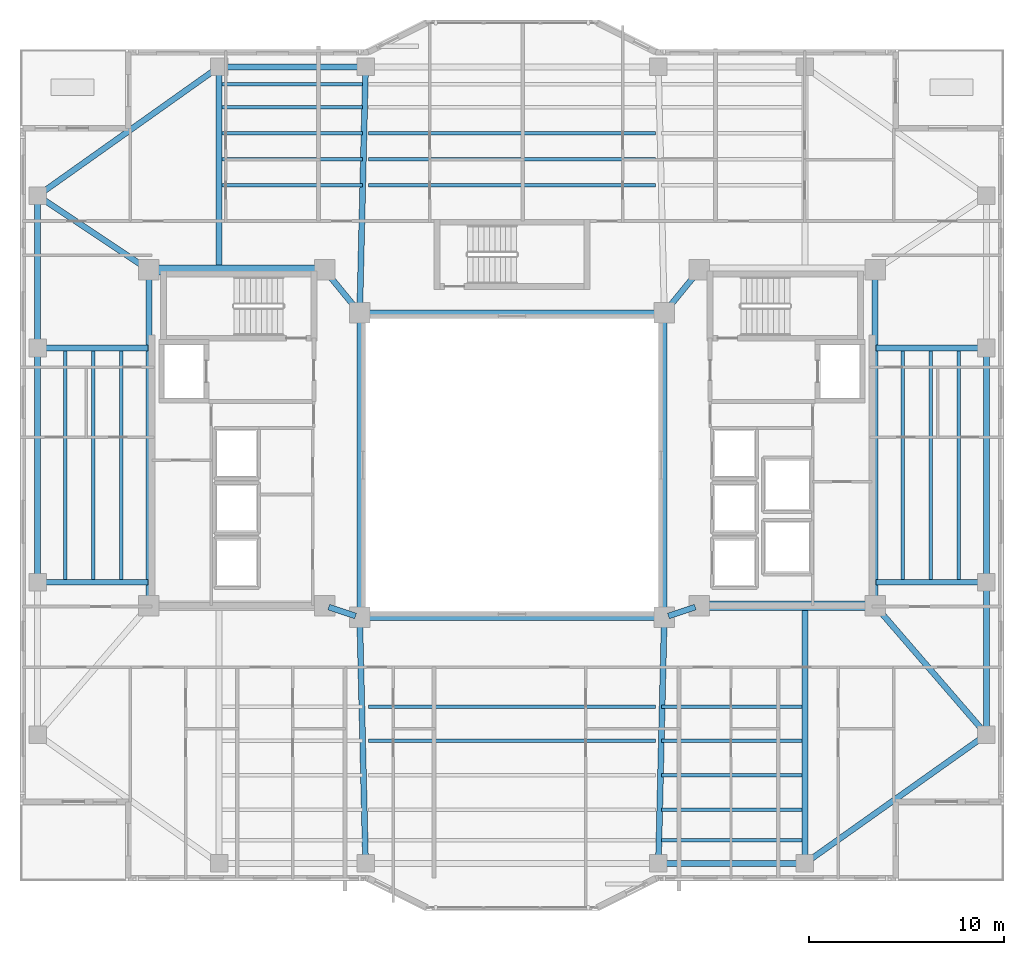
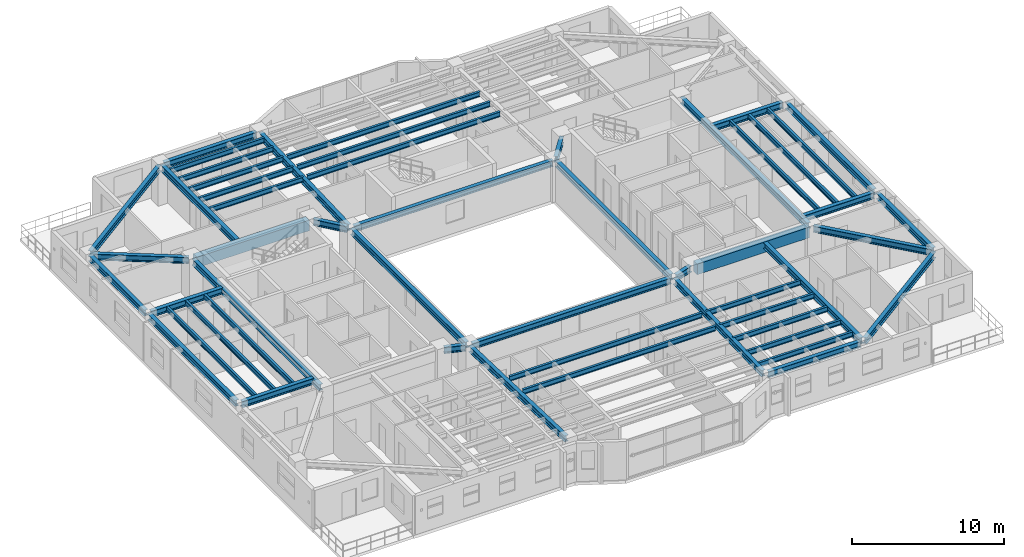
# One storey, part 3 of 17: 52 beams.
"""IFC4 building model written with IfcOpenShell, lengths in metres."""

from ifc_helpers import new_model, si_unit, direction, frame, origin, origin_2d, place, context, subcontext, project, spatial, rectangle, i_section, extrude, material, material_profile, profile_set, type_object, element, save


model = new_model("IFC4")

# Units and contexts
model_context = context("Model", 3, precision=1e-05, world=origin(), true_north=direction((0.0, 1.0)))
body_context = subcontext(model_context, "Body", "Model", "MODEL_VIEW")
ifc_project = project(units=[si_unit("LENGTHUNIT", "METRE"), si_unit("AREAUNIT", "SQUARE_METRE"), si_unit("VOLUMEUNIT", "CUBIC_METRE"), si_unit("PLANEANGLEUNIT", "RADIAN"), si_unit("MASSUNIT", "GRAM", prefix="KILO")], contexts=[model_context])

# Site, building, storey
site_placement = place(None, origin())
site = spatial("IfcSite", under=ifc_project, at=site_placement, CompositionType="ELEMENT")
building_placement = place(site_placement, origin())
building = spatial("IfcBuilding", under=site, at=building_placement, Name="Tarnavaz Court Tower", CompositionType="ELEMENT")
storey_placement = place(building_placement, frame((0.0, 0.0, 132.60009765625)))
storey = spatial("IfcBuildingStorey", under=building, at=storey_placement, Name="L35", CompositionType="ELEMENT", Elevation=132.60009765625)

# Beams
ifc_material_1 = material(Name="Concrete C50/60", Category="concrete")
ifc_material_profile_1 = material_profile(ifc_material_1, rectangle(XDim=0.5, YDim=0.85009765625, at=origin_2d()), Name="RC 500X850")
ifc_profile_set_1 = profile_set([ifc_material_profile_1], Name="Concrete C50/60")
beam_type_1 = type_object("IfcBeamType", Name="BM-CB850", PredefinedType="LINTEL", material=ifc_profile_set_1)
for number, where, z_axis, x_axis, name in (
    (1, (-18.3798828125, 10.0, 2.6748046875), (1.0, 0.0, 0.0), (0.0, 1.0, 0.0), "L35 Beam IN-CW-NO-CW-NI"),
    (2, (18.3798828125, -7.199951171875, 2.6748046875), (-1.0, 0.0, 0.0), (0.0, -1.0, 0.0), "L35 Beam IN-CE-SO-CE-SI"),
):
    element("IfcBeam", number, at=place(storey_placement, frame(where, z_axis=z_axis, x_axis=x_axis)), inside=storey, type_object=beam_type_1, Name=name, PredefinedType="LINTEL", context=body_context, shape_type="SweptSolid", body=[
        extrude(rectangle(XDim=0.5, YDim=0.85009765625, at=origin_2d()), origin(), (0.0, 0.0, 1.0), 8.559814453125),
    ])
ifc_material_2 = material(Name="Steel S355", Category="steel")
ifc_material_profile_2 = material_profile(ifc_material_2, i_section(OverallWidth=0.300048828125, OverallDepth=0.5, WebThickness=0.014404296875, FlangeThickness=0.028076171875, FilletRadius=0.027099609375, at=origin_2d()), Name="HEB 500")
ifc_profile_set_2 = profile_set([ifc_material_profile_2], Name="Steel S355")
beam_type_2 = type_object("IfcBeamType", Name="BM-G-HEB500", PredefinedType="USERDEFINED", material=ifc_profile_set_2)
for number, where, z_axis, x_axis, name in (
    (3, (-9.391357421875, -7.26953125, 2.849853515625), (0.948666544706, -0.316278021615, 0.0), (0.316278021615, 0.948666544706, 0.0), "L35 Beam IN-CW-SI-IW-SW"),
    (4, (9.391357421875, -7.26953125, 2.849853515625), (-0.948666544706, -0.316278021615, 0.0), (0.316278021615, -0.948666544706, 0.0), "L35 Beam IN-CE-SI-IW-SE"),
):
    element("IfcBeam", number, at=place(storey_placement, frame(where, z_axis=z_axis, x_axis=x_axis)), inside=storey, type_object=beam_type_2, Name=name, ObjectType="GIRDER", PredefinedType="USERDEFINED", context=body_context, shape_type="SweptSolid", body=[
        extrude(i_section(OverallWidth=0.300048828125, OverallDepth=0.5, WebThickness=0.014404296875, FlangeThickness=0.028076171875, FilletRadius=0.027099609375, at=origin_2d()), origin(), (0.0, 0.0, 1.0), 1.457275390625),
    ])
for number, where, z_axis, x_axis, name in (
    (5, (-9.460693359375, 9.82958984375, 2.849853515625), (0.633282058357, -0.773921077735, 0.0), (0.773921077735, 0.633282058357, 0.0), "L35 Beam IN-CW-NI-IW-NW"),
    (6, (9.460693359375, 9.82958984375, 2.849853515625), (-0.633282058357, -0.773921077735, 0.0), (0.773921077735, -0.633282058357, 0.0), "L35 Beam IN-CE-NI-IW-NE"),
):
    element("IfcBeam", number, at=place(storey_placement, frame(where, z_axis=z_axis, x_axis=x_axis)), inside=storey, type_object=beam_type_2, Name=name, ObjectType="GIRDER", PredefinedType="USERDEFINED", context=body_context, shape_type="SweptSolid", body=[
        extrude(i_section(OverallWidth=0.300048828125, OverallDepth=0.5, WebThickness=0.014404296875, FlangeThickness=0.028076171875, FilletRadius=0.027099609375, at=origin_2d()), origin(), (0.0, 0.0, 1.0), 2.402587890625),
    ])
for number, where, z_axis, x_axis, name in (
    (7, (-18.60009765625, -6.97998046875, 2.849853515625), (0.0, 1.0, 0.0), (-1.0, 0.0, 0.0), "L35 Beam IN-CW-SO-CW-NO"),
    (8, (18.60009765625, -6.97998046875, 2.849853515625), (0.0, 1.0, 0.0), (-1.0, 0.0, 0.0), "L35 Beam IN-CE-SO-CE-NO"),
):
    element("IfcBeam", number, at=place(storey_placement, frame(where, z_axis=z_axis, x_axis=x_axis)), inside=storey, type_object=beam_type_2, Name=name, ObjectType="GIRDER", PredefinedType="USERDEFINED", context=body_context, shape_type="SweptSolid", body=[
        extrude(i_section(OverallWidth=0.300048828125, OverallDepth=0.5, WebThickness=0.014404296875, FlangeThickness=0.028076171875, FilletRadius=0.027099609375, at=origin_2d()), origin(), (0.0, 0.0, 1.0), 16.760009765625),
    ])
beam_1_placement = place(storey_placement, frame((-15.0, 10.0400390625, 2.849853515625), z_axis=(0.0, 1.0, 0.0), x_axis=(-1.0, 0.0, 0.0)))
element("IfcBeam", 9, at=beam_1_placement, inside=storey, type_object=beam_type_2, Name="L35 Beam RG-01", ObjectType="GIRDER", PredefinedType="USERDEFINED", context=body_context, shape_type="SweptSolid", body=[
    extrude(i_section(OverallWidth=0.300048828125, OverallDepth=0.5, WebThickness=0.014404296875, FlangeThickness=0.028076171875, FilletRadius=0.027099609375, at=origin_2d()), origin(), (0.0, 0.0, 1.0), 10.139892578125),
])
for number, where, z_axis, x_axis, name in (
    (10, (-7.794921875, 8.02001953125, 2.849853515625), (0.023824748444, 0.999716150395, 0.0), (-0.999716150395, 0.023824748444, 0.0), "L35 Beam RG-02"),
    (11, (-7.794921875, -8.02001953125, 2.849853515625), (0.023824748444, -0.999716150395, 0.0), (0.999716150395, 0.023824748444, 0.0), "L35 Beam RG-06"),
    (12, (7.794921875, -8.02001953125, 2.849853515625), (-0.023824748444, -0.999716150395, 0.0), (0.999716150395, -0.023824748444, 0.0), "L35 Beam RG-07"),
):
    element("IfcBeam", number, at=place(storey_placement, frame(where, z_axis=z_axis, x_axis=x_axis)), inside=storey, type_object=beam_type_2, Name=name, ObjectType="GIRDER", PredefinedType="USERDEFINED", context=body_context, shape_type="SweptSolid", body=[
        extrude(i_section(OverallWidth=0.300048828125, OverallDepth=0.5, WebThickness=0.014404296875, FlangeThickness=0.028076171875, FilletRadius=0.027099609375, at=origin_2d()), origin(), (0.0, 0.0, 1.0), 12.16357421875),
    ])
beam_2_placement = place(storey_placement, frame((15.0, -7.239990234375, 2.849853515625), z_axis=(0.0, -1.0, 0.0), x_axis=(1.0, 0.0, 0.0)))
element("IfcBeam", 13, at=beam_2_placement, inside=storey, type_object=beam_type_2, Name="L35 Beam RG-08", ObjectType="GIRDER", PredefinedType="USERDEFINED", context=body_context, shape_type="SweptSolid", body=[
    extrude(i_section(OverallWidth=0.300048828125, OverallDepth=0.5, WebThickness=0.014404296875, FlangeThickness=0.028076171875, FilletRadius=0.027099609375, at=origin_2d()), origin(), (0.0, 0.0, 1.0), 12.93994140625),
])
for number, where, z_axis, x_axis, name in (
    (14, (18.639892578125, -6.0, 2.849853515625), (1.0, 0.0, 0.0), (0.0, 1.0, 0.0), "L35 Beam RG-09"),
    (15, (18.639892578125, 6.0, 2.849853515625), (1.0, 0.0, 0.0), (0.0, 1.0, 0.0), "L35 Beam RG-10"),
):
    element("IfcBeam", number, at=place(storey_placement, frame(where, z_axis=z_axis, x_axis=x_axis)), inside=storey, type_object=beam_type_2, Name=name, ObjectType="GIRDER", PredefinedType="USERDEFINED", context=body_context, shape_type="SweptSolid", body=[
        extrude(i_section(OverallWidth=0.300048828125, OverallDepth=0.5, WebThickness=0.014404296875, FlangeThickness=0.028076171875, FilletRadius=0.027099609375, at=origin_2d()), origin(), (0.0, 0.0, 1.0), 5.440185546875),
    ])
beam_3_placement = place(storey_placement, frame((18.743896484375, -7.366455078125, 2.849853515625), z_axis=(0.653610659012, -0.756830962914, 0.0), x_axis=(0.756830962914, 0.653610659012, 0.0)))
element("IfcBeam", 16, at=beam_3_placement, inside=storey, type_object=beam_type_2, Name="L35 Beam RG-11", ObjectType="GIRDER", PredefinedType="USERDEFINED", context=body_context, shape_type="SweptSolid", body=[
    extrude(i_section(OverallWidth=0.300048828125, OverallDepth=0.5, WebThickness=0.014404296875, FlangeThickness=0.028076171875, FilletRadius=0.027099609375, at=origin_2d()), origin(), (0.0, 0.0, 1.0), 8.28076171875),
])
for number, where, z_axis, x_axis, name in (
    (17, (-18.639892578125, -6.0, 2.849853515625), (-1.0, 0.0, 0.0), (0.0, -1.0, 0.0), "L35 Beam RG-13"),
    (18, (-18.639892578125, 6.0, 2.849853515625), (-1.0, 0.0, 0.0), (0.0, -1.0, 0.0), "L35 Beam RG-14"),
):
    element("IfcBeam", number, at=place(storey_placement, frame(where, z_axis=z_axis, x_axis=x_axis)), inside=storey, type_object=beam_type_2, Name=name, ObjectType="GIRDER", PredefinedType="USERDEFINED", context=body_context, shape_type="SweptSolid", body=[
        extrude(i_section(OverallWidth=0.300048828125, OverallDepth=0.5, WebThickness=0.014404296875, FlangeThickness=0.028076171875, FilletRadius=0.027099609375, at=origin_2d()), origin(), (0.0, 0.0, 1.0), 5.440185546875),
    ])
beam_4_placement = place(storey_placement, frame((-18.783203125, 10.1220703125, 2.849853515625), z_axis=(-0.832044435051, 0.554708985056, 0.0), x_axis=(-0.554708985056, -0.832044435051, 0.0)))
element("IfcBeam", 19, at=beam_4_placement, inside=storey, type_object=beam_type_2, Name="L35 Beam RG-16", ObjectType="GIRDER", PredefinedType="USERDEFINED", context=body_context, shape_type="SweptSolid", body=[
    extrude(i_section(OverallWidth=0.300048828125, OverallDepth=0.5, WebThickness=0.014404296875, FlangeThickness=0.028076171875, FilletRadius=0.027099609375, at=origin_2d()), origin(), (0.0, 0.0, 1.0), 6.410400390625),
])
ifc_material_profile_3 = material_profile(ifc_material_2, i_section(OverallWidth=0.179931640625, OverallDepth=0.39990234375, WebThickness=0.008544921875, FlangeThickness=0.013427734375, FilletRadius=0.02099609375, at=origin_2d()), Name="IPE 400")
ifc_profile_set_3 = profile_set([ifc_material_profile_3], Name="Steel S355")
beam_type_3 = type_object("IfcBeamType", Name="BM-J-IPE400", PredefinedType="JOIST", material=ifc_profile_set_3)
beam_5_placement = place(storey_placement, frame((-14.85009765625, 14.33203125, 2.89990234375), z_axis=(1.0, 0.0, 0.0), x_axis=(0.0, 1.0, 0.0)))
element("IfcBeam", 20, at=beam_5_placement, inside=storey, type_object=beam_type_3, Name="L35 Beam JN1-1", PredefinedType="JOIST", context=body_context, shape_type="SweptSolid", body=[
    extrude(i_section(OverallWidth=0.179931640625, OverallDepth=0.39990234375, WebThickness=0.008544921875, FlangeThickness=0.013427734375, FilletRadius=0.02099609375, at=origin_2d()), origin(), (0.0, 0.0, 1.0), 7.2001953125),
])
for number, where, z_axis, x_axis, name in (
    (21, (-7.35009765625, 14.33203125, 2.89990234375), (1.0, 0.0, 0.0), (0.0, 1.0, 0.0), "L35 Beam JN1-2"),
    (22, (-7.35009765625, -12.364013671875, 2.89990234375), (1.0, 0.0, 0.0), (0.0, 1.0, 0.0), "L35 Beam JS1-2"),
):
    element("IfcBeam", number, at=place(storey_placement, frame(where, z_axis=z_axis, x_axis=x_axis)), inside=storey, type_object=beam_type_3, Name=name, PredefinedType="JOIST", context=body_context, shape_type="SweptSolid", body=[
        extrude(i_section(OverallWidth=0.179931640625, OverallDepth=0.39990234375, WebThickness=0.008544921875, FlangeThickness=0.013427734375, FilletRadius=0.02099609375, at=origin_2d()), origin(), (0.0, 0.0, 1.0), 14.7001953125),
    ])
for number, where, z_axis, x_axis, name in (
    (23, (7.64990234375, -12.364013671875, 2.89990234375), (1.0, 0.0, 0.0), (0.0, 1.0, 0.0), "L35 Beam JS1-3"),
    (24, (-14.85009765625, 15.6640625, 2.89990234375), (1.0, 0.0, 0.0), (0.0, 1.0, 0.0), "L35 Beam JN2-1"),
):
    element("IfcBeam", number, at=place(storey_placement, frame(where, z_axis=z_axis, x_axis=x_axis)), inside=storey, type_object=beam_type_3, Name=name, PredefinedType="JOIST", context=body_context, shape_type="SweptSolid", body=[
        extrude(i_section(OverallWidth=0.179931640625, OverallDepth=0.39990234375, WebThickness=0.008544921875, FlangeThickness=0.013427734375, FilletRadius=0.02099609375, at=origin_2d()), origin(), (0.0, 0.0, 1.0), 7.2001953125),
    ])
for number, where, z_axis, x_axis, name in (
    (25, (-7.35009765625, 15.6640625, 2.89990234375), (1.0, 0.0, 0.0), (0.0, 1.0, 0.0), "L35 Beam JN2-2"),
    (26, (-7.35009765625, -14.1279296875, 2.89990234375), (1.0, 0.0, 0.0), (0.0, 1.0, 0.0), "L35 Beam JS2-2"),
):
    element("IfcBeam", number, at=place(storey_placement, frame(where, z_axis=z_axis, x_axis=x_axis)), inside=storey, type_object=beam_type_3, Name=name, PredefinedType="JOIST", context=body_context, shape_type="SweptSolid", body=[
        extrude(i_section(OverallWidth=0.179931640625, OverallDepth=0.39990234375, WebThickness=0.008544921875, FlangeThickness=0.013427734375, FilletRadius=0.02099609375, at=origin_2d()), origin(), (0.0, 0.0, 1.0), 14.7001953125),
    ])
for number, where, z_axis, x_axis, name in (
    (27, (7.64990234375, -14.1279296875, 2.89990234375), (1.0, 0.0, 0.0), (0.0, 1.0, 0.0), "L35 Beam JS2-3"),
    (28, (-14.85009765625, 16.99609375, 2.89990234375), (1.0, 0.0, 0.0), (0.0, 1.0, 0.0), "L35 Beam JN3-1"),
):
    element("IfcBeam", number, at=place(storey_placement, frame(where, z_axis=z_axis, x_axis=x_axis)), inside=storey, type_object=beam_type_3, Name=name, PredefinedType="JOIST", context=body_context, shape_type="SweptSolid", body=[
        extrude(i_section(OverallWidth=0.179931640625, OverallDepth=0.39990234375, WebThickness=0.008544921875, FlangeThickness=0.013427734375, FilletRadius=0.02099609375, at=origin_2d()), origin(), (0.0, 0.0, 1.0), 7.2001953125),
    ])
beam_6_placement = place(storey_placement, frame((-7.35009765625, 16.99609375, 2.89990234375), z_axis=(1.0, 0.0, 0.0), x_axis=(0.0, 1.0, 0.0)))
element("IfcBeam", 29, at=beam_6_placement, inside=storey, type_object=beam_type_3, Name="L35 Beam JN3-2", PredefinedType="JOIST", context=body_context, shape_type="SweptSolid", body=[
    extrude(i_section(OverallWidth=0.179931640625, OverallDepth=0.39990234375, WebThickness=0.008544921875, FlangeThickness=0.013427734375, FilletRadius=0.02099609375, at=origin_2d()), origin(), (0.0, 0.0, 1.0), 14.7001953125),
])
for number, where, z_axis, x_axis, name in (
    (30, (7.64990234375, -15.89208984375, 2.89990234375), (1.0, 0.0, 0.0), (0.0, 1.0, 0.0), "L35 Beam JS3-3"),
    (31, (-14.85009765625, 18.327880859375, 2.89990234375), (1.0, 0.0, 0.0), (0.0, 1.0, 0.0), "L35 Beam JN4-1"),
    (32, (7.64990234375, -17.656005859375, 2.89990234375), (1.0, 0.0, 0.0), (0.0, 1.0, 0.0), "L35 Beam JS4-3"),
    (33, (-14.85009765625, 19.511962890625, 2.89990234375), (1.0, 0.0, 0.0), (0.0, 1.0, 0.0), "L35 Beam JN5-1"),
    (34, (7.64990234375, -19.22412109375, 2.89990234375), (1.0, 0.0, 0.0), (0.0, 1.0, 0.0), "L35 Beam JS5-3"),
):
    element("IfcBeam", number, at=place(storey_placement, frame(where, z_axis=z_axis, x_axis=x_axis)), inside=storey, type_object=beam_type_3, Name=name, PredefinedType="JOIST", context=body_context, shape_type="SweptSolid", body=[
        extrude(i_section(OverallWidth=0.179931640625, OverallDepth=0.39990234375, WebThickness=0.008544921875, FlangeThickness=0.013427734375, FilletRadius=0.02099609375, at=origin_2d()), origin(), (0.0, 0.0, 1.0), 7.2001953125),
    ])
for number, where, z_axis, x_axis, name in (
    (35, (20.02490234375, -5.9599609375, 2.89990234375), (0.0, 1.0, 0.0), (-1.0, 0.0, 0.0), "L35 Beam JE1"),
    (36, (-20.02490234375, -5.9599609375, 2.89990234375), (0.0, 1.0, 0.0), (-1.0, 0.0, 0.0), "L35 Beam JW1"),
    (37, (21.449951171875, -5.9599609375, 2.89990234375), (0.0, 1.0, 0.0), (-1.0, 0.0, 0.0), "L35 Beam JE2"),
    (38, (-21.449951171875, -5.9599609375, 2.89990234375), (0.0, 1.0, 0.0), (-1.0, 0.0, 0.0), "L35 Beam JW2"),
    (39, (22.875, -5.9599609375, 2.89990234375), (0.0, 1.0, 0.0), (-1.0, 0.0, 0.0), "L35 Beam JE3"),
    (40, (-22.875, -5.9599609375, 2.89990234375), (0.0, 1.0, 0.0), (-1.0, 0.0, 0.0), "L35 Beam JW3"),
):
    element("IfcBeam", number, at=place(storey_placement, frame(where, z_axis=z_axis, x_axis=x_axis)), inside=storey, type_object=beam_type_3, Name=name, PredefinedType="JOIST", context=body_context, shape_type="SweptSolid", body=[
        extrude(i_section(OverallWidth=0.179931640625, OverallDepth=0.39990234375, WebThickness=0.008544921875, FlangeThickness=0.013427734375, FilletRadius=0.02099609375, at=origin_2d()), origin(), (0.0, 0.0, 1.0), 11.919921875),
    ])
ifc_material_profile_4 = material_profile(ifc_material_2, i_section(OverallWidth=0.300048828125, OverallDepth=0.489990234375, WebThickness=0.011962890625, FlangeThickness=0.02294921875, FilletRadius=0.027099609375, at=origin_2d()), Name="HEA 500")
ifc_profile_set_4 = profile_set([ifc_material_profile_4], Name="Steel S355")
beam_type_4 = type_object("IfcBeamType", Name="BM-SP-HEA500", PredefinedType="SPANDREL", material=ifc_profile_set_4)
for number, where, z_axis, x_axis, name in (
    (41, (-7.580078125, -7.800048828125, 2.85498046875), (1.0, 0.0, 0.0), (0.0, 1.0, 0.0), "L35 Beam IN-IW-SW-IW-SE"),
    (42, (-7.580078125, 7.800048828125, 2.85498046875), (1.0, 0.0, 0.0), (0.0, 1.0, 0.0), "L35 Beam IN-IW-NW-IW-NE"),
    (43, (-7.800048828125, -7.580078125, 2.85498046875), (0.0, 1.0, 0.0), (-1.0, 0.0, 0.0), "L35 Beam IN-IW-SW-IW-NW"),
    (44, (7.800048828125, -7.580078125, 2.85498046875), (0.0, 1.0, 0.0), (-1.0, 0.0, 0.0), "L35 Beam IN-IW-SE-IW-NE"),
):
    element("IfcBeam", number, at=place(storey_placement, frame(where, z_axis=z_axis, x_axis=x_axis)), inside=storey, type_object=beam_type_4, Name=name, PredefinedType="SPANDREL", context=body_context, shape_type="SweptSolid", body=[
        extrude(i_section(OverallWidth=0.300048828125, OverallDepth=0.489990234375, WebThickness=0.011962890625, FlangeThickness=0.02294921875, FilletRadius=0.027099609375, at=origin_2d()), origin(), (0.0, 0.0, 1.0), 15.16015625),
    ])
for number, where, z_axis, x_axis, name in (
    (45, (-14.780029296875, 20.39990234375, 2.85498046875), (1.0, 0.0, 0.0), (0.0, 1.0, 0.0), "L35 Beam PR-PN-1-PN-2"),
    (46, (7.719970703125, -20.39990234375, 2.85498046875), (1.0, 0.0, 0.0), (0.0, 1.0, 0.0), "L35 Beam PR-PS-3-PS-4"),
):
    element("IfcBeam", number, at=place(storey_placement, frame(where, z_axis=z_axis, x_axis=x_axis)), inside=storey, type_object=beam_type_4, Name=name, PredefinedType="SPANDREL", context=body_context, shape_type="SweptSolid", body=[
        extrude(i_section(OverallWidth=0.300048828125, OverallDepth=0.489990234375, WebThickness=0.011962890625, FlangeThickness=0.02294921875, FilletRadius=0.027099609375, at=origin_2d()), origin(), (0.0, 0.0, 1.0), 7.06005859375),
    ])
beam_7_placement = place(storey_placement, frame((24.300048828125, -13.580078125, 2.85498046875), z_axis=(0.0, 1.0, 0.0), x_axis=(-1.0, 0.0, 0.0)))
element("IfcBeam", 47, at=beam_7_placement, inside=storey, type_object=beam_type_4, Name="L35 Beam PR-PE-1-PE-2", PredefinedType="SPANDREL", context=body_context, shape_type="SweptSolid", body=[
    extrude(i_section(OverallWidth=0.300048828125, OverallDepth=0.489990234375, WebThickness=0.011962890625, FlangeThickness=0.02294921875, FilletRadius=0.027099609375, at=origin_2d()), origin(), (0.0, 0.0, 1.0), 7.360107421875),
])
for number, where, z_axis, x_axis, name in (
    (48, (24.300048828125, -5.780029296875, 2.85498046875), (0.0, 1.0, 0.0), (-1.0, 0.0, 0.0), "L35 Beam PR-PE-2-PE-3"),
    (49, (-24.300048828125, -5.780029296875, 2.85498046875), (0.0, 1.0, 0.0), (-1.0, 0.0, 0.0), "L35 Beam PR-PW-2-PW-3"),
):
    element("IfcBeam", number, at=place(storey_placement, frame(where, z_axis=z_axis, x_axis=x_axis)), inside=storey, type_object=beam_type_4, Name=name, PredefinedType="SPANDREL", context=body_context, shape_type="SweptSolid", body=[
        extrude(i_section(OverallWidth=0.300048828125, OverallDepth=0.489990234375, WebThickness=0.011962890625, FlangeThickness=0.02294921875, FilletRadius=0.027099609375, at=origin_2d()), origin(), (0.0, 0.0, 1.0), 11.56005859375),
    ])
beam_8_placement = place(storey_placement, frame((-24.300048828125, 6.219970703125, 2.85498046875), z_axis=(0.0, 1.0, 0.0), x_axis=(-1.0, 0.0, 0.0)))
element("IfcBeam", 50, at=beam_8_placement, inside=storey, type_object=beam_type_4, Name="L35 Beam PR-PW-3-PW-4", PredefinedType="SPANDREL", context=body_context, shape_type="SweptSolid", body=[
    extrude(i_section(OverallWidth=0.300048828125, OverallDepth=0.489990234375, WebThickness=0.011962890625, FlangeThickness=0.02294921875, FilletRadius=0.027099609375, at=origin_2d()), origin(), (0.0, 0.0, 1.0), 7.360107421875),
])
for number, where, z_axis, x_axis, name in (
    (51, (24.12060546875, -13.92724609375, 2.85498046875), (-0.815502059396, -0.57875417158, 0.0), (0.57875417158, -0.815502059396, 0.0), "L35 Beam PR-PE-1-PS-4"),
    (52, (-24.12060546875, 13.92724609375, 2.85498046875), (0.815502059396, 0.57875417158, 0.0), (-0.57875417158, 0.815502059396, 0.0), "L35 Beam PR-PW-4-PN-1"),
):
    element("IfcBeam", number, at=place(storey_placement, frame(where, z_axis=z_axis, x_axis=x_axis)), inside=storey, type_object=beam_type_4, Name=name, PredefinedType="SPANDREL", context=body_context, shape_type="SweptSolid", body=[
        extrude(i_section(OverallWidth=0.300048828125, OverallDepth=0.489990234375, WebThickness=0.011962890625, FlangeThickness=0.02294921875, FilletRadius=0.027099609375, at=origin_2d()), origin(), (0.0, 0.0, 1.0), 10.964111328125),
    ])

save(model, "model.ifc")
